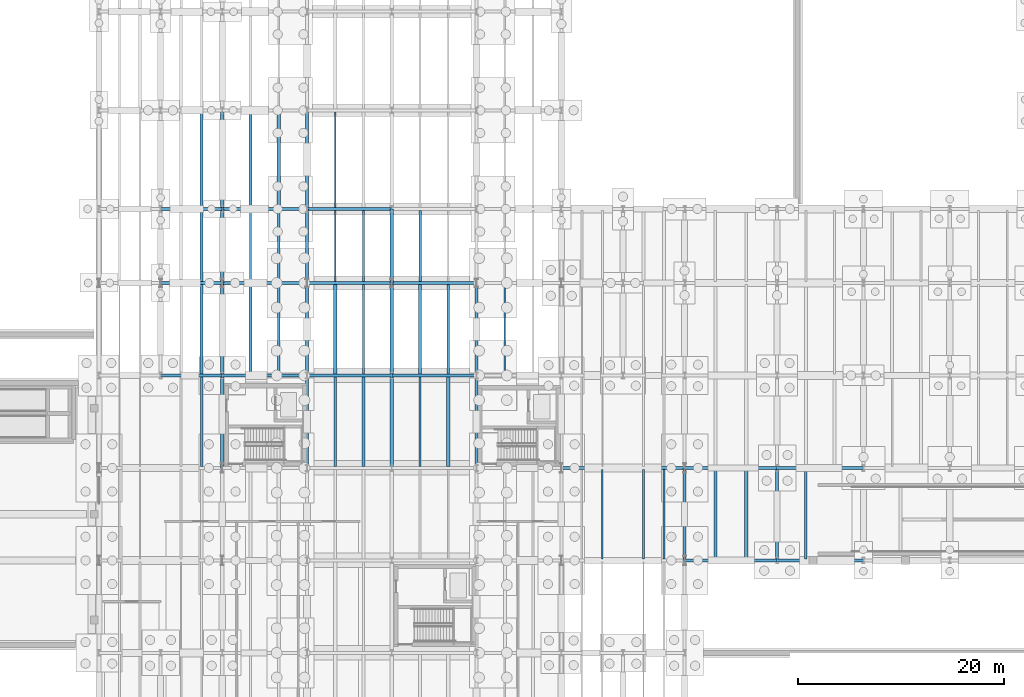
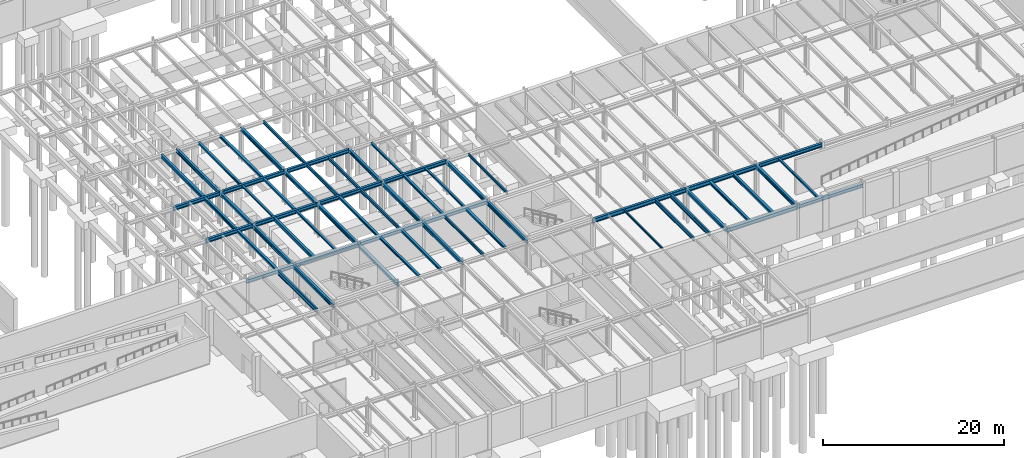
# One storey, part 30 of 59: 60 beams.
"""IFC4 building model written with IfcOpenShell, lengths in metres."""

from ifc_helpers import new_model, si_unit, direction, frame, origin, origin_2d, place, context, subcontext, project, spatial, i_section, extrude, material, material_profile, profile_set, type_object, element, save


model = new_model("IFC4")

# Units and contexts
model_context = context("Model", 3, precision=1e-05, world=origin(), true_north=direction((0.0, 1.0)))
body_context = subcontext(model_context, "Body", "Model", "MODEL_VIEW")
ifc_project = project(units=[si_unit("LENGTHUNIT", "METRE"), si_unit("AREAUNIT", "SQUARE_METRE"), si_unit("VOLUMEUNIT", "CUBIC_METRE"), si_unit("PLANEANGLEUNIT", "RADIAN"), si_unit("MASSUNIT", "GRAM", prefix="KILO")], contexts=[model_context])

# Site, building, storey
site_placement = place(None, origin())
site = spatial("IfcSite", under=ifc_project, at=site_placement, CompositionType="ELEMENT")
building_placement = place(site_placement, origin())
building = spatial("IfcBuilding", under=site, at=building_placement, Name="Montealbar Specialist Clinic", CompositionType="ELEMENT")
storey_placement = place(building_placement, frame((0.0, 0.0, -4.800048828125)))
storey = spatial("IfcBuildingStorey", under=building, at=storey_placement, Name="B01", CompositionType="ELEMENT", Elevation=-4.800048828125)

# Beams
ifc_material = material(Name="Steel S355", Category="steel")
ifc_material_profile_1 = material_profile(ifc_material, i_section(OverallWidth=0.300048828125, OverallDepth=0.449951171875, WebThickness=0.013916015625, FlangeThickness=0.02587890625, FilletRadius=0.027099609375, at=origin_2d()), Name="HEB 450", Category="steel")
ifc_profile_set_1 = profile_set([ifc_material_profile_1], Name="Steel S355")
beam_type_1 = type_object("IfcBeamType", Name="BM-GIRD-HEB450", PredefinedType="BEAM", material=ifc_profile_set_1)
for number, where, z_axis, x_axis, name in (
    (1, (66.0, 45.0, 4.255126953125), (0.0, 1.0, 0.0), (-1.0, 0.0, 0.0), "Beam GY-B01-660-450-522"),
    (2, (74.25, 45.0, 4.255126953125), (0.0, 1.0, 0.0), (-1.0, 0.0, 0.0), "Beam GY-B01-742-450-522"),
    (3, (82.5, 45.0, 4.255126953125), (0.0, 1.0, 0.0), (-1.0, 0.0, 0.0), "Beam GY-B01-825-450-522"),
):
    element("IfcBeam", number, at=place(storey_placement, frame(where, z_axis=z_axis, x_axis=x_axis)), inside=storey, type_object=beam_type_1, Name=name, PredefinedType="BEAM", context=body_context, shape_type="SweptSolid", body=[
        extrude(i_section(OverallWidth=0.300048828125, OverallDepth=0.449951171875, WebThickness=0.013916015625, FlangeThickness=0.02587890625, FilletRadius=0.027099609375, at=origin_2d()), origin(), (0.0, 0.0, 1.0), 7.199951171875),
    ])
ifc_material_profile_2 = material_profile(ifc_material, i_section(OverallWidth=0.300048828125, OverallDepth=0.5, WebThickness=0.014404296875, FlangeThickness=0.028076171875, FilletRadius=0.027099609375, at=origin_2d()), Name="HEB 500", Category="steel")
ifc_profile_set_2 = profile_set([ifc_material_profile_2], Name="Steel S355")
beam_type_2 = type_object("IfcBeamType", Name="BM-GIRD-HEB500", PredefinedType="BEAM", material=ifc_profile_set_2)
beam_1_placement = place(storey_placement, frame((60.0, 36.0, 4.22998046875), z_axis=(1.0, 0.0, 0.0), x_axis=(0.0, 1.0, 0.0)))
element("IfcBeam", 4, at=beam_1_placement, inside=storey, type_object=beam_type_2, Name="Beam GX-B01-600-660-360", PredefinedType="BEAM", context=body_context, shape_type="SweptSolid", body=[
    extrude(i_section(OverallWidth=0.300048828125, OverallDepth=0.5, WebThickness=0.014404296875, FlangeThickness=0.028076171875, FilletRadius=0.027099609375, at=origin_2d()), origin(), (0.0, 0.0, 1.0), 6.0),
])
for number, where, z_axis, x_axis, name in (
    (5, (66.0, 36.0, 4.22998046875), (1.0, 0.0, 0.0), (0.0, 1.0, 0.0), "Beam GX-B01-660-742-360"),
    (6, (74.25, 36.0, 4.22998046875), (1.0, 0.0, 0.0), (0.0, 1.0, 0.0), "Beam GX-B01-742-825-360"),
    (7, (82.5, 36.0, 4.22998046875), (1.0, 0.0, 0.0), (0.0, 1.0, 0.0), "Beam GX-B01-825-908-360"),
):
    element("IfcBeam", number, at=place(storey_placement, frame(where, z_axis=z_axis, x_axis=x_axis)), inside=storey, type_object=beam_type_2, Name=name, PredefinedType="BEAM", context=body_context, shape_type="SweptSolid", body=[
        extrude(i_section(OverallWidth=0.300048828125, OverallDepth=0.5, WebThickness=0.014404296875, FlangeThickness=0.028076171875, FilletRadius=0.027099609375, at=origin_2d()), origin(), (0.0, 0.0, 1.0), 8.25),
    ])
beam_2_placement = place(storey_placement, frame((60.0, 45.0, 4.22998046875), z_axis=(1.0, 0.0, 0.0), x_axis=(0.0, 1.0, 0.0)))
element("IfcBeam", 8, at=beam_2_placement, inside=storey, type_object=beam_type_2, Name="Beam GX-B01-600-660-450", PredefinedType="BEAM", context=body_context, shape_type="SweptSolid", body=[
    extrude(i_section(OverallWidth=0.300048828125, OverallDepth=0.5, WebThickness=0.014404296875, FlangeThickness=0.028076171875, FilletRadius=0.027099609375, at=origin_2d()), origin(), (0.0, 0.0, 1.0), 6.0),
])
for number, where, z_axis, x_axis, name in (
    (9, (66.0, 45.0, 4.22998046875), (1.0, 0.0, 0.0), (0.0, 1.0, 0.0), "Beam GX-B01-660-742-450"),
    (10, (74.25, 45.0, 4.22998046875), (1.0, 0.0, 0.0), (0.0, 1.0, 0.0), "Beam GX-B01-742-825-450"),
    (11, (82.5, 45.0, 4.22998046875), (1.0, 0.0, 0.0), (0.0, 1.0, 0.0), "Beam GX-B01-825-908-450"),
):
    element("IfcBeam", number, at=place(storey_placement, frame(where, z_axis=z_axis, x_axis=x_axis)), inside=storey, type_object=beam_type_2, Name=name, PredefinedType="BEAM", context=body_context, shape_type="SweptSolid", body=[
        extrude(i_section(OverallWidth=0.300048828125, OverallDepth=0.5, WebThickness=0.014404296875, FlangeThickness=0.028076171875, FilletRadius=0.027099609375, at=origin_2d()), origin(), (0.0, 0.0, 1.0), 8.25),
    ])
beam_3_placement = place(storey_placement, frame((60.0, 52.199951171875, 4.22998046875), z_axis=(1.0, 0.0, 0.0), x_axis=(0.0, 1.0, 0.0)))
element("IfcBeam", 12, at=beam_3_placement, inside=storey, type_object=beam_type_2, Name="Beam GX-B01-600-660-522", PredefinedType="BEAM", context=body_context, shape_type="SweptSolid", body=[
    extrude(i_section(OverallWidth=0.300048828125, OverallDepth=0.5, WebThickness=0.014404296875, FlangeThickness=0.028076171875, FilletRadius=0.027099609375, at=origin_2d()), origin(), (0.0, 0.0, 1.0), 6.0),
])
for number, where, z_axis, x_axis, name in (
    (13, (66.0, 52.199951171875, 4.22998046875), (1.0, 0.0, 0.0), (0.0, 1.0, 0.0), "Beam GX-B01-660-742-522"),
    (14, (74.25, 52.199951171875, 4.22998046875), (1.0, 0.0, 0.0), (0.0, 1.0, 0.0), "Beam GX-B01-742-825-522"),
):
    element("IfcBeam", number, at=place(storey_placement, frame(where, z_axis=z_axis, x_axis=x_axis)), inside=storey, type_object=beam_type_2, Name=name, PredefinedType="BEAM", context=body_context, shape_type="SweptSolid", body=[
        extrude(i_section(OverallWidth=0.300048828125, OverallDepth=0.5, WebThickness=0.014404296875, FlangeThickness=0.028076171875, FilletRadius=0.027099609375, at=origin_2d()), origin(), (0.0, 0.0, 1.0), 8.25),
    ])
for number, where, z_axis, x_axis, name in (
    (15, (66.0, 27.0, 4.22998046875), (0.0, 1.0, 0.0), (-1.0, 0.0, 0.0), "Beam GY-B01-660-270-360"),
    (16, (66.0, 36.0, 4.22998046875), (0.0, 1.0, 0.0), (-1.0, 0.0, 0.0), "Beam GY-B01-660-360-450"),
):
    element("IfcBeam", number, at=place(storey_placement, frame(where, z_axis=z_axis, x_axis=x_axis)), inside=storey, type_object=beam_type_2, Name=name, PredefinedType="BEAM", context=body_context, shape_type="SweptSolid", body=[
        extrude(i_section(OverallWidth=0.300048828125, OverallDepth=0.5, WebThickness=0.014404296875, FlangeThickness=0.028076171875, FilletRadius=0.027099609375, at=origin_2d()), origin(), (0.0, 0.0, 1.0), 9.0),
    ])
beam_4_placement = place(storey_placement, frame((66.0, 52.199951171875, 4.22998046875), z_axis=(0.0, 1.0, 0.0), x_axis=(-1.0, 0.0, 0.0)))
element("IfcBeam", 17, at=beam_4_placement, inside=storey, type_object=beam_type_2, Name="Beam GY-B01-660-522-618", PredefinedType="BEAM", context=body_context, shape_type="SweptSolid", body=[
    extrude(i_section(OverallWidth=0.300048828125, OverallDepth=0.5, WebThickness=0.014404296875, FlangeThickness=0.028076171875, FilletRadius=0.027099609375, at=origin_2d()), origin(), (0.0, 0.0, 1.0), 9.60009765625),
])
for number, where, z_axis, x_axis, name in (
    (18, (74.25, 27.0, 4.22998046875), (0.0, 1.0, 0.0), (-1.0, 0.0, 0.0), "Beam GY-B01-742-270-360"),
    (19, (74.25, 36.0, 4.22998046875), (0.0, 1.0, 0.0), (-1.0, 0.0, 0.0), "Beam GY-B01-742-360-450"),
):
    element("IfcBeam", number, at=place(storey_placement, frame(where, z_axis=z_axis, x_axis=x_axis)), inside=storey, type_object=beam_type_2, Name=name, PredefinedType="BEAM", context=body_context, shape_type="SweptSolid", body=[
        extrude(i_section(OverallWidth=0.300048828125, OverallDepth=0.5, WebThickness=0.014404296875, FlangeThickness=0.028076171875, FilletRadius=0.027099609375, at=origin_2d()), origin(), (0.0, 0.0, 1.0), 9.0),
    ])
beam_5_placement = place(storey_placement, frame((74.25, 52.199951171875, 4.22998046875), z_axis=(0.0, 1.0, 0.0), x_axis=(-1.0, 0.0, 0.0)))
element("IfcBeam", 20, at=beam_5_placement, inside=storey, type_object=beam_type_2, Name="Beam GY-B01-742-522-618", PredefinedType="BEAM", context=body_context, shape_type="SweptSolid", body=[
    extrude(i_section(OverallWidth=0.300048828125, OverallDepth=0.5, WebThickness=0.014404296875, FlangeThickness=0.028076171875, FilletRadius=0.027099609375, at=origin_2d()), origin(), (0.0, 0.0, 1.0), 9.60009765625),
])
for number, where, z_axis, x_axis, name in (
    (21, (82.5, 27.0, 4.22998046875), (0.0, 1.0, 0.0), (-1.0, 0.0, 0.0), "Beam GY-B01-825-270-360"),
    (22, (82.5, 36.0, 4.22998046875), (0.0, 1.0, 0.0), (-1.0, 0.0, 0.0), "Beam GY-B01-825-360-450"),
    (23, (90.75, 27.0, 4.22998046875), (0.0, 1.0, 0.0), (-1.0, 0.0, 0.0), "Beam GY-B01-908-270-360"),
    (24, (90.75, 36.0, 4.22998046875), (0.0, 1.0, 0.0), (-1.0, 0.0, 0.0), "Beam GY-B01-908-360-450"),
    (25, (111.0, 18.0, 4.22998046875), (0.0, 1.0, 0.0), (-1.0, 0.0, 0.0), "Beam GY-B01-1110-180-270"),
    (26, (120.0, 18.0, 4.22998046875), (0.0, 1.0, 0.0), (-1.0, 0.0, 0.0), "Beam GY-B01-1200-180-270"),
):
    element("IfcBeam", number, at=place(storey_placement, frame(where, z_axis=z_axis, x_axis=x_axis)), inside=storey, type_object=beam_type_2, Name=name, PredefinedType="BEAM", context=body_context, shape_type="SweptSolid", body=[
        extrude(i_section(OverallWidth=0.300048828125, OverallDepth=0.5, WebThickness=0.014404296875, FlangeThickness=0.028076171875, FilletRadius=0.027099609375, at=origin_2d()), origin(), (0.0, 0.0, 1.0), 9.0),
    ])
ifc_material_profile_3 = material_profile(ifc_material, i_section(OverallWidth=0.300048828125, OverallDepth=0.5, WebThickness=0.014404296875, FlangeThickness=0.028076171875, FilletRadius=0.027099609375, at=origin_2d()), Name="HEB 500", Category="steel")
ifc_profile_set_3 = profile_set([ifc_material_profile_3], Name="Steel S355")
beam_type_3 = type_object("IfcBeamType", Name="BM-GIRD-HEB500-EXT", PredefinedType="BEAM", material=ifc_profile_set_3)
for number, where, z_axis, x_axis, name in (
    (27, (120.0, 18.0, 4.22998046875), (1.0, 0.0, 0.0), (0.0, 1.0, 0.0), "Beam GX-B01-1200-1284-180"),
    (28, (120.0, 27.0, 4.22998046875), (1.0, 0.0, 0.0), (0.0, 1.0, 0.0), "Beam GX-B01-1200-1284-270"),
):
    element("IfcBeam", number, at=place(storey_placement, frame(where, z_axis=z_axis, x_axis=x_axis)), inside=storey, type_object=beam_type_3, Name=name, PredefinedType="BEAM", context=body_context, shape_type="SweptSolid", body=[
        extrude(i_section(OverallWidth=0.300048828125, OverallDepth=0.5, WebThickness=0.014404296875, FlangeThickness=0.028076171875, FilletRadius=0.027099609375, at=origin_2d()), origin(), (0.0, 0.0, 1.0), 8.39990234375),
    ])
ifc_material_profile_4 = material_profile(ifc_material, i_section(OverallWidth=0.300048828125, OverallDepth=0.550048828125, WebThickness=0.014892578125, FlangeThickness=0.029052734375, FilletRadius=0.027099609375, at=origin_2d()), Name="HEB 550", Category="steel")
ifc_profile_set_4 = profile_set([ifc_material_profile_4], Name="Steel S355")
beam_type_4 = type_object("IfcBeamType", Name="BM-GIRD-HEB550", PredefinedType="BEAM", material=ifc_profile_set_4)
beam_6_placement = place(storey_placement, frame((99.0, 27.0, 4.205078125), z_axis=(1.0, 0.0, 0.0), x_axis=(0.0, 1.0, 0.0)))
element("IfcBeam", 29, at=beam_6_placement, inside=storey, type_object=beam_type_4, Name="Beam GX-B01-990-1110-270", PredefinedType="BEAM", context=body_context, shape_type="SweptSolid", body=[
    extrude(i_section(OverallWidth=0.300048828125, OverallDepth=0.550048828125, WebThickness=0.014892578125, FlangeThickness=0.029052734375, FilletRadius=0.027099609375, at=origin_2d()), origin(), (0.0, 0.0, 1.0), 12.0),
])
beam_7_placement = place(storey_placement, frame((111.0, 27.0, 4.205078125), z_axis=(1.0, 0.0, 0.0), x_axis=(0.0, 1.0, 0.0)))
element("IfcBeam", 30, at=beam_7_placement, inside=storey, type_object=beam_type_4, Name="Beam GX-B01-1110-1200-270", PredefinedType="BEAM", context=body_context, shape_type="SweptSolid", body=[
    extrude(i_section(OverallWidth=0.300048828125, OverallDepth=0.550048828125, WebThickness=0.014892578125, FlangeThickness=0.029052734375, FilletRadius=0.027099609375, at=origin_2d()), origin(), (0.0, 0.0, 1.0), 9.0),
])
ifc_material_profile_5 = material_profile(ifc_material, i_section(OverallWidth=0.300048828125, OverallDepth=0.550048828125, WebThickness=0.014892578125, FlangeThickness=0.029052734375, FilletRadius=0.027099609375, at=origin_2d()), Name="HEB 550", Category="steel")
ifc_profile_set_5 = profile_set([ifc_material_profile_5], Name="Steel S355")
beam_type_5 = type_object("IfcBeamType", Name="BM-GIRD-HEB550-EXT", PredefinedType="BEAM", material=ifc_profile_set_5)
beam_8_placement = place(storey_placement, frame((111.0, 18.0, 4.205078125), z_axis=(1.0, 0.0, 0.0), x_axis=(0.0, 1.0, 0.0)))
element("IfcBeam", 31, at=beam_8_placement, inside=storey, type_object=beam_type_5, Name="Beam GX-B01-1110-1200-180", PredefinedType="BEAM", context=body_context, shape_type="SweptSolid", body=[
    extrude(i_section(OverallWidth=0.300048828125, OverallDepth=0.550048828125, WebThickness=0.014892578125, FlangeThickness=0.029052734375, FilletRadius=0.027099609375, at=origin_2d()), origin(), (0.0, 0.0, 1.0), 9.0),
])
ifc_material_profile_6 = material_profile(ifc_material, i_section(OverallWidth=0.300048828125, OverallDepth=0.35009765625, WebThickness=0.010009765625, FlangeThickness=0.017578125, FilletRadius=0.027099609375, at=origin_2d()), Name="HEA 360", Category="steel")
ifc_profile_set_6 = profile_set([ifc_material_profile_6], Name="Steel S355")
beam_type_6 = type_object("IfcBeamType", Name="BM-JST-HEA360", PredefinedType="JOIST", material=ifc_profile_set_6)
for number, where, z_axis, x_axis, name in (
    (32, (64.0, 36.14990234375, 4.304931640625), (0.0, 1.0, 0.0), (-1.0, 0.0, 0.0), "Beam JST-B01-640-362-448"),
    (33, (114.0, 18.14990234375, 4.304931640625), (0.0, 1.0, 0.0), (-1.0, 0.0, 0.0), "Beam JST-B01-1140-182-268"),
):
    element("IfcBeam", number, at=place(storey_placement, frame(where, z_axis=z_axis, x_axis=x_axis)), inside=storey, type_object=beam_type_6, Name=name, PredefinedType="JOIST", context=body_context, shape_type="SweptSolid", body=[
        extrude(i_section(OverallWidth=0.300048828125, OverallDepth=0.35009765625, WebThickness=0.010009765625, FlangeThickness=0.017578125, FilletRadius=0.027099609375, at=origin_2d()), origin(), (0.0, 0.0, 1.0), 8.7001953125),
    ])
ifc_material_profile_7 = material_profile(ifc_material, i_section(OverallWidth=0.300048828125, OverallDepth=0.43994140625, WebThickness=0.011474609375, FlangeThickness=0.02099609375, FilletRadius=0.027099609375, at=origin_2d()), Name="HEA 450", Category="steel")
ifc_profile_set_7 = profile_set([ifc_material_profile_7], Name="Steel S355")
beam_type_7 = type_object("IfcBeamType", Name="BM-JST-HEA450", PredefinedType="JOIST", material=ifc_profile_set_7)
beam_9_placement = place(storey_placement, frame((64.0, 45.14990234375, 4.260009765625), z_axis=(0.0, 1.0, 0.0), x_axis=(-1.0, 0.0, 0.0)))
element("IfcBeam", 34, at=beam_9_placement, inside=storey, type_object=beam_type_7, Name="Beam JST-B01-640-452-520", PredefinedType="JOIST", context=body_context, shape_type="SweptSolid", body=[
    extrude(i_section(OverallWidth=0.300048828125, OverallDepth=0.43994140625, WebThickness=0.011474609375, FlangeThickness=0.02099609375, FilletRadius=0.027099609375, at=origin_2d()), origin(), (0.0, 0.0, 1.0), 6.900146484375),
])
beam_10_placement = place(storey_placement, frame((117.0, 18.14990234375, 4.260009765625), z_axis=(0.0, 1.0, 0.0), x_axis=(-1.0, 0.0, 0.0)))
element("IfcBeam", 35, at=beam_10_placement, inside=storey, type_object=beam_type_7, Name="Beam JST-B01-1170-182-268", PredefinedType="JOIST", context=body_context, shape_type="SweptSolid", body=[
    extrude(i_section(OverallWidth=0.300048828125, OverallDepth=0.43994140625, WebThickness=0.011474609375, FlangeThickness=0.02099609375, FilletRadius=0.027099609375, at=origin_2d()), origin(), (0.0, 0.0, 1.0), 8.7001953125),
])
ifc_material_profile_8 = material_profile(ifc_material, i_section(OverallWidth=0.300048828125, OverallDepth=0.489990234375, WebThickness=0.011962890625, FlangeThickness=0.02294921875, FilletRadius=0.027099609375, at=origin_2d()), Name="HEA 500", Category="steel")
ifc_profile_set_8 = profile_set([ifc_material_profile_8], Name="Steel S355")
beam_type_8 = type_object("IfcBeamType", Name="BM-JST-HEA500", PredefinedType="JOIST", material=ifc_profile_set_8)
beam_11_placement = place(storey_placement, frame((64.0, 52.35009765625, 4.235107421875), z_axis=(0.0, 1.0, 0.0), x_axis=(-1.0, 0.0, 0.0)))
element("IfcBeam", 36, at=beam_11_placement, inside=storey, type_object=beam_type_8, Name="Beam JST-B01-640-524-616", PredefinedType="JOIST", context=body_context, shape_type="SweptSolid", body=[
    extrude(i_section(OverallWidth=0.300048828125, OverallDepth=0.489990234375, WebThickness=0.011962890625, FlangeThickness=0.02294921875, FilletRadius=0.027099609375, at=origin_2d()), origin(), (0.0, 0.0, 1.0), 9.2998046875),
])
beam_12_placement = place(storey_placement, frame((68.75, 36.14990234375, 4.235107421875), z_axis=(0.0, 1.0, 0.0), x_axis=(-1.0, 0.0, 0.0)))
element("IfcBeam", 37, at=beam_12_placement, inside=storey, type_object=beam_type_8, Name="Beam JST-B01-688-362-448", PredefinedType="JOIST", context=body_context, shape_type="SweptSolid", body=[
    extrude(i_section(OverallWidth=0.300048828125, OverallDepth=0.489990234375, WebThickness=0.011962890625, FlangeThickness=0.02294921875, FilletRadius=0.027099609375, at=origin_2d()), origin(), (0.0, 0.0, 1.0), 8.7001953125),
])
ifc_material_profile_9 = material_profile(ifc_material, i_section(OverallWidth=0.239990234375, OverallDepth=0.239990234375, WebThickness=0.010009765625, FlangeThickness=0.01708984375, FilletRadius=0.02099609375, at=origin_2d()), Name="HEB 240", Category="steel")
ifc_profile_set_9 = profile_set([ifc_material_profile_9], Name="Steel S355")
beam_type_9 = type_object("IfcBeamType", Name="BM-JST-HEB240", PredefinedType="JOIST", material=ifc_profile_set_9)
beam_13_placement = place(storey_placement, frame((71.5, 36.14990234375, 4.360107421875), z_axis=(0.0, 1.0, 0.0), x_axis=(-1.0, 0.0, 0.0)))
element("IfcBeam", 38, at=beam_13_placement, inside=storey, type_object=beam_type_9, Name="Beam JST-B01-715-362-448", PredefinedType="JOIST", context=body_context, shape_type="SweptSolid", body=[
    extrude(i_section(OverallWidth=0.239990234375, OverallDepth=0.239990234375, WebThickness=0.010009765625, FlangeThickness=0.01708984375, FilletRadius=0.02099609375, at=origin_2d()), origin(), (0.0, 0.0, 1.0), 8.7001953125),
])
beam_14_placement = place(storey_placement, frame((68.75, 45.14990234375, 4.360107421875), z_axis=(0.0, 1.0, 0.0), x_axis=(-1.0, 0.0, 0.0)))
element("IfcBeam", 39, at=beam_14_placement, inside=storey, type_object=beam_type_9, Name="Beam JST-B01-688-452-520", PredefinedType="JOIST", context=body_context, shape_type="SweptSolid", body=[
    extrude(i_section(OverallWidth=0.239990234375, OverallDepth=0.239990234375, WebThickness=0.010009765625, FlangeThickness=0.01708984375, FilletRadius=0.02099609375, at=origin_2d()), origin(), (0.0, 0.0, 1.0), 6.900146484375),
])
beam_15_placement = place(storey_placement, frame((122.800048828125, 18.14990234375, 4.360107421875), z_axis=(0.0, 1.0, 0.0), x_axis=(-1.0, 0.0, 0.0)))
element("IfcBeam", 40, at=beam_15_placement, inside=storey, type_object=beam_type_9, Name="Beam JST-B01-1228-182-268", PredefinedType="JOIST", context=body_context, shape_type="SweptSolid", body=[
    extrude(i_section(OverallWidth=0.239990234375, OverallDepth=0.239990234375, WebThickness=0.010009765625, FlangeThickness=0.01708984375, FilletRadius=0.02099609375, at=origin_2d()), origin(), (0.0, 0.0, 1.0), 8.7001953125),
])
ifc_material_profile_10 = material_profile(ifc_material, i_section(OverallWidth=0.280029296875, OverallDepth=0.280029296875, WebThickness=0.010498046875, FlangeThickness=0.01806640625, FilletRadius=0.02392578125, at=origin_2d()), Name="HEB 280", Category="steel")
ifc_profile_set_10 = profile_set([ifc_material_profile_10], Name="Steel S355")
beam_type_10 = type_object("IfcBeamType", Name="BM-JST-HEB280", PredefinedType="JOIST", material=ifc_profile_set_10)
beam_16_placement = place(storey_placement, frame((71.5, 45.14990234375, 4.340087890625), z_axis=(0.0, 1.0, 0.0), x_axis=(-1.0, 0.0, 0.0)))
element("IfcBeam", 41, at=beam_16_placement, inside=storey, type_object=beam_type_10, Name="Beam JST-B01-715-452-520", PredefinedType="JOIST", context=body_context, shape_type="SweptSolid", body=[
    extrude(i_section(OverallWidth=0.280029296875, OverallDepth=0.280029296875, WebThickness=0.010498046875, FlangeThickness=0.01806640625, FilletRadius=0.02392578125, at=origin_2d()), origin(), (0.0, 0.0, 1.0), 6.900146484375),
])
beam_17_placement = place(storey_placement, frame((68.75, 52.35009765625, 4.340087890625), z_axis=(0.0, 1.0, 0.0), x_axis=(-1.0, 0.0, 0.0)))
element("IfcBeam", 42, at=beam_17_placement, inside=storey, type_object=beam_type_10, Name="Beam JST-B01-688-524-616", PredefinedType="JOIST", context=body_context, shape_type="SweptSolid", body=[
    extrude(i_section(OverallWidth=0.280029296875, OverallDepth=0.280029296875, WebThickness=0.010498046875, FlangeThickness=0.01806640625, FilletRadius=0.02392578125, at=origin_2d()), origin(), (0.0, 0.0, 1.0), 9.2998046875),
])
beam_18_placement = place(storey_placement, frame((77.0, 27.14990234375, 4.340087890625), z_axis=(0.0, 1.0, 0.0), x_axis=(-1.0, 0.0, 0.0)))
element("IfcBeam", 43, at=beam_18_placement, inside=storey, type_object=beam_type_10, Name="Beam JST-B01-770-272-358", PredefinedType="JOIST", context=body_context, shape_type="SweptSolid", body=[
    extrude(i_section(OverallWidth=0.280029296875, OverallDepth=0.280029296875, WebThickness=0.010498046875, FlangeThickness=0.01806640625, FilletRadius=0.02392578125, at=origin_2d()), origin(), (0.0, 0.0, 1.0), 8.7001953125),
])
ifc_material_profile_11 = material_profile(ifc_material, i_section(OverallWidth=0.300048828125, OverallDepth=0.320068359375, WebThickness=0.011474609375, FlangeThickness=0.0205078125, FilletRadius=0.027099609375, at=origin_2d()), Name="HEB 320", Category="steel")
ifc_profile_set_11 = profile_set([ifc_material_profile_11], Name="Steel S355")
beam_type_11 = type_object("IfcBeamType", Name="BM-JST-HEB320", PredefinedType="JOIST", material=ifc_profile_set_11)
beam_19_placement = place(storey_placement, frame((71.5, 52.35009765625, 4.320068359375), z_axis=(0.0, 1.0, 0.0), x_axis=(-1.0, 0.0, 0.0)))
element("IfcBeam", 44, at=beam_19_placement, inside=storey, type_object=beam_type_11, Name="Beam JST-B01-715-524-616", PredefinedType="JOIST", context=body_context, shape_type="SweptSolid", body=[
    extrude(i_section(OverallWidth=0.300048828125, OverallDepth=0.320068359375, WebThickness=0.011474609375, FlangeThickness=0.0205078125, FilletRadius=0.027099609375, at=origin_2d()), origin(), (0.0, 0.0, 1.0), 9.2998046875),
])
for number, where, z_axis, x_axis, name in (
    (45, (79.75, 27.14990234375, 4.320068359375), (0.0, 1.0, 0.0), (-1.0, 0.0, 0.0), "Beam JST-B01-798-272-358"),
    (46, (77.0, 36.14990234375, 4.320068359375), (0.0, 1.0, 0.0), (-1.0, 0.0, 0.0), "Beam JST-B01-770-362-448"),
):
    element("IfcBeam", number, at=place(storey_placement, frame(where, z_axis=z_axis, x_axis=x_axis)), inside=storey, type_object=beam_type_11, Name=name, PredefinedType="JOIST", context=body_context, shape_type="SweptSolid", body=[
        extrude(i_section(OverallWidth=0.300048828125, OverallDepth=0.320068359375, WebThickness=0.011474609375, FlangeThickness=0.0205078125, FilletRadius=0.027099609375, at=origin_2d()), origin(), (0.0, 0.0, 1.0), 8.7001953125),
    ])
ifc_material_profile_12 = material_profile(ifc_material, i_section(OverallWidth=0.135009765625, OverallDepth=0.27001953125, WebThickness=0.006591796875, FlangeThickness=0.01025390625, FilletRadius=0.014892578125, at=origin_2d()), Name="IPE 270", Category="steel")
ifc_profile_set_12 = profile_set([ifc_material_profile_12], Name="Steel S355")
beam_type_12 = type_object("IfcBeamType", Name="BM-JST-IPE270", PredefinedType="JOIST", material=ifc_profile_set_12)
beam_20_placement = place(storey_placement, frame((103.0, 18.14990234375, 4.344970703125), z_axis=(0.0, 1.0, 0.0), x_axis=(-1.0, 0.0, 0.0)))
element("IfcBeam", 47, at=beam_20_placement, inside=storey, type_object=beam_type_12, Name="Beam JST-B01-1030-182-268", PredefinedType="JOIST", context=body_context, shape_type="SweptSolid", body=[
    extrude(i_section(OverallWidth=0.135009765625, OverallDepth=0.27001953125, WebThickness=0.006591796875, FlangeThickness=0.01025390625, FilletRadius=0.014892578125, at=origin_2d()), origin(), (0.0, 0.0, 1.0), 8.7001953125),
])
ifc_material_profile_13 = material_profile(ifc_material, i_section(OverallWidth=0.159912109375, OverallDepth=0.330078125, WebThickness=0.007568359375, FlangeThickness=0.011474609375, FilletRadius=0.01806640625, at=origin_2d()), Name="IPE 330", Category="steel")
ifc_profile_set_13 = profile_set([ifc_material_profile_13], Name="Steel S355")
beam_type_13 = type_object("IfcBeamType", Name="BM-JST-IPE330", PredefinedType="JOIST", material=ifc_profile_set_13)
beam_21_placement = place(storey_placement, frame((93.5, 36.14990234375, 4.31494140625), z_axis=(0.0, 1.0, 0.0), x_axis=(-1.0, 0.0, 0.0)))
element("IfcBeam", 48, at=beam_21_placement, inside=storey, type_object=beam_type_13, Name="Beam JST-B01-935-362-448", PredefinedType="JOIST", context=body_context, shape_type="SweptSolid", body=[
    extrude(i_section(OverallWidth=0.159912109375, OverallDepth=0.330078125, WebThickness=0.007568359375, FlangeThickness=0.011474609375, FilletRadius=0.01806640625, at=origin_2d()), origin(), (0.0, 0.0, 1.0), 8.7001953125),
])
ifc_material_profile_14 = material_profile(ifc_material, i_section(OverallWidth=0.199951171875, OverallDepth=0.5, WebThickness=0.01025390625, FlangeThickness=0.01611328125, FilletRadius=0.02099609375, at=origin_2d()), Name="IPE 500", Category="steel")
ifc_profile_set_14 = profile_set([ifc_material_profile_14], Name="Steel S355")
beam_type_14 = type_object("IfcBeamType", Name="BM-JST-IPE500", PredefinedType="JOIST", material=ifc_profile_set_14)
beam_22_placement = place(storey_placement, frame((107.0, 18.14990234375, 4.22998046875), z_axis=(0.0, 1.0, 0.0), x_axis=(-1.0, 0.0, 0.0)))
element("IfcBeam", 49, at=beam_22_placement, inside=storey, type_object=beam_type_14, Name="Beam JST-B01-1070-182-268", PredefinedType="JOIST", context=body_context, shape_type="SweptSolid", body=[
    extrude(i_section(OverallWidth=0.199951171875, OverallDepth=0.5, WebThickness=0.01025390625, FlangeThickness=0.01611328125, FilletRadius=0.02099609375, at=origin_2d()), origin(), (0.0, 0.0, 1.0), 8.7001953125),
])
ifc_material_profile_15 = material_profile(ifc_material, i_section(OverallWidth=0.2099609375, OverallDepth=0.550048828125, WebThickness=0.010986328125, FlangeThickness=0.01708984375, FilletRadius=0.02392578125, at=origin_2d()), Name="IPE 550", Category="steel")
ifc_profile_set_15 = profile_set([ifc_material_profile_15], Name="Steel S355")
beam_type_15 = type_object("IfcBeamType", Name="BM-JST-IPE550", PredefinedType="JOIST", material=ifc_profile_set_15)
beam_23_placement = place(storey_placement, frame((109.0, 18.14990234375, 4.205078125), z_axis=(0.0, 1.0, 0.0), x_axis=(-1.0, 0.0, 0.0)))
element("IfcBeam", 50, at=beam_23_placement, inside=storey, type_object=beam_type_15, Name="Beam JST-B01-1090-182-268", PredefinedType="JOIST", context=body_context, shape_type="SweptSolid", body=[
    extrude(i_section(OverallWidth=0.2099609375, OverallDepth=0.550048828125, WebThickness=0.010986328125, FlangeThickness=0.01708984375, FilletRadius=0.02392578125, at=origin_2d()), origin(), (0.0, 0.0, 1.0), 8.7001953125),
])
ifc_material_profile_16 = material_profile(ifc_material, i_section(OverallWidth=0.219970703125, OverallDepth=0.60009765625, WebThickness=0.011962890625, FlangeThickness=0.01904296875, FilletRadius=0.02392578125, at=origin_2d()), Name="IPE 600", Category="steel")
ifc_profile_set_16 = profile_set([ifc_material_profile_16], Name="Steel S355")
beam_type_16 = type_object("IfcBeamType", Name="BM-JST-IPE600", PredefinedType="JOIST", material=ifc_profile_set_16)
beam_24_placement = place(storey_placement, frame((64.0, 27.14990234375, 4.179931640625), z_axis=(0.0, 1.0, 0.0), x_axis=(-1.0, 0.0, 0.0)))
element("IfcBeam", 51, at=beam_24_placement, inside=storey, type_object=beam_type_16, Name="Beam JST-B01-640-272-358", PredefinedType="JOIST", context=body_context, shape_type="SweptSolid", body=[
    extrude(i_section(OverallWidth=0.219970703125, OverallDepth=0.60009765625, WebThickness=0.011962890625, FlangeThickness=0.01904296875, FilletRadius=0.02392578125, at=origin_2d()), origin(), (0.0, 0.0, 1.0), 8.7001953125),
])
ifc_material_profile_17 = material_profile(ifc_material, i_section(OverallWidth=0.179931640625, OverallDepth=0.39990234375, WebThickness=0.008544921875, FlangeThickness=0.013427734375, FilletRadius=0.02099609375, at=origin_2d()), Name="IPE 400", Category="steel")
ifc_profile_set_17 = profile_set([ifc_material_profile_17], Name="Steel S355")
beam_type_17 = type_object("IfcBeamType", Name="BM-SEC-IPE400", PredefinedType="BEAM", material=ifc_profile_set_17)
beam_25_placement = place(storey_placement, frame((79.75, 45.14990234375, 4.280029296875), z_axis=(0.0, 1.0, 0.0), x_axis=(-1.0, 0.0, 0.0)))
element("IfcBeam", 52, at=beam_25_placement, inside=storey, type_object=beam_type_17, Name="Beam JST-B01-798-452-520", PredefinedType="BEAM", context=body_context, shape_type="SweptSolid", body=[
    extrude(i_section(OverallWidth=0.179931640625, OverallDepth=0.39990234375, WebThickness=0.008544921875, FlangeThickness=0.013427734375, FilletRadius=0.02099609375, at=origin_2d()), origin(), (0.0, 0.0, 1.0), 6.900146484375),
])
beam_26_placement = place(storey_placement, frame((77.0, 52.35009765625, 4.280029296875), z_axis=(0.0, 1.0, 0.0), x_axis=(-1.0, 0.0, 0.0)))
element("IfcBeam", 53, at=beam_26_placement, inside=storey, type_object=beam_type_17, Name="Beam JST-B01-770-524-616", PredefinedType="BEAM", context=body_context, shape_type="SweptSolid", body=[
    extrude(i_section(OverallWidth=0.179931640625, OverallDepth=0.39990234375, WebThickness=0.008544921875, FlangeThickness=0.013427734375, FilletRadius=0.02099609375, at=origin_2d()), origin(), (0.0, 0.0, 1.0), 9.2998046875),
])
beam_27_placement = place(storey_placement, frame((85.25, 27.14990234375, 4.280029296875), z_axis=(0.0, 1.0, 0.0), x_axis=(-1.0, 0.0, 0.0)))
element("IfcBeam", 54, at=beam_27_placement, inside=storey, type_object=beam_type_17, Name="Beam JST-B01-852-272-358", PredefinedType="BEAM", context=body_context, shape_type="SweptSolid", body=[
    extrude(i_section(OverallWidth=0.179931640625, OverallDepth=0.39990234375, WebThickness=0.008544921875, FlangeThickness=0.013427734375, FilletRadius=0.02099609375, at=origin_2d()), origin(), (0.0, 0.0, 1.0), 8.7001953125),
])
ifc_material_profile_18 = material_profile(ifc_material, i_section(OverallWidth=0.18994140625, OverallDepth=0.449951171875, WebThickness=0.009521484375, FlangeThickness=0.0146484375, FilletRadius=0.02099609375, at=origin_2d()), Name="IPE 450", Category="steel")
ifc_profile_set_18 = profile_set([ifc_material_profile_18], Name="Steel S355")
beam_type_18 = type_object("IfcBeamType", Name="BM-SEC-IPE450", PredefinedType="BEAM", material=ifc_profile_set_18)
beam_28_placement = place(storey_placement, frame((79.75, 36.14990234375, 4.255126953125), z_axis=(0.0, 1.0, 0.0), x_axis=(-1.0, 0.0, 0.0)))
element("IfcBeam", 55, at=beam_28_placement, inside=storey, type_object=beam_type_18, Name="Beam JST-B01-798-362-448", PredefinedType="BEAM", context=body_context, shape_type="SweptSolid", body=[
    extrude(i_section(OverallWidth=0.18994140625, OverallDepth=0.449951171875, WebThickness=0.009521484375, FlangeThickness=0.0146484375, FilletRadius=0.02099609375, at=origin_2d()), origin(), (0.0, 0.0, 1.0), 8.7001953125),
])
beam_29_placement = place(storey_placement, frame((77.0, 45.14990234375, 4.255126953125), z_axis=(0.0, 1.0, 0.0), x_axis=(-1.0, 0.0, 0.0)))
element("IfcBeam", 56, at=beam_29_placement, inside=storey, type_object=beam_type_18, Name="Beam JST-B01-770-452-520", PredefinedType="BEAM", context=body_context, shape_type="SweptSolid", body=[
    extrude(i_section(OverallWidth=0.18994140625, OverallDepth=0.449951171875, WebThickness=0.009521484375, FlangeThickness=0.0146484375, FilletRadius=0.02099609375, at=origin_2d()), origin(), (0.0, 0.0, 1.0), 6.900146484375),
])
ifc_material_profile_19 = material_profile(ifc_material, i_section(OverallWidth=0.239990234375, OverallDepth=0.22998046875, WebThickness=0.007568359375, FlangeThickness=0.011962890625, FilletRadius=0.02099609375, at=origin_2d()), Name="HEA 240", Category="steel")
ifc_profile_set_19 = profile_set([ifc_material_profile_19], Name="Steel S355")
beam_type_19 = type_object("IfcBeamType", Name="BM-SPAND-HEA240", PredefinedType="SPANDREL", material=ifc_profile_set_19)
beam_30_placement = place(storey_placement, frame((88.0, 36.14990234375, 4.364990234375), z_axis=(0.0, 1.0, 0.0), x_axis=(-1.0, 0.0, 0.0)))
element("IfcBeam", 57, at=beam_30_placement, inside=storey, type_object=beam_type_19, Name="Beam JST-B01-880-362-448", PredefinedType="SPANDREL", context=body_context, shape_type="SweptSolid", body=[
    extrude(i_section(OverallWidth=0.239990234375, OverallDepth=0.22998046875, WebThickness=0.007568359375, FlangeThickness=0.011962890625, FilletRadius=0.02099609375, at=origin_2d()), origin(), (0.0, 0.0, 1.0), 8.7001953125),
])
beam_31_placement = place(storey_placement, frame((85.25, 45.14990234375, 4.364990234375), z_axis=(0.0, 1.0, 0.0), x_axis=(-1.0, 0.0, 0.0)))
element("IfcBeam", 58, at=beam_31_placement, inside=storey, type_object=beam_type_19, Name="Beam JST-B01-852-452-520", PredefinedType="SPANDREL", context=body_context, shape_type="SweptSolid", body=[
    extrude(i_section(OverallWidth=0.239990234375, OverallDepth=0.22998046875, WebThickness=0.007568359375, FlangeThickness=0.011962890625, FilletRadius=0.02099609375, at=origin_2d()), origin(), (0.0, 0.0, 1.0), 6.900146484375),
])
ifc_material_profile_20 = material_profile(ifc_material, i_section(OverallWidth=0.300048828125, OverallDepth=0.2900390625, WebThickness=0.008544921875, FlangeThickness=0.013916015625, FilletRadius=0.027099609375, at=origin_2d()), Name="HEA 300", Category="steel")
ifc_profile_set_20 = profile_set([ifc_material_profile_20], Name="Steel S355")
beam_type_20 = type_object("IfcBeamType", Name="BM-SPAND-HEA300", PredefinedType="SPANDREL", material=ifc_profile_set_20)
for number, where, z_axis, x_axis, name in (
    (59, (88.0, 27.14990234375, 4.3349609375), (0.0, 1.0, 0.0), (-1.0, 0.0, 0.0), "Beam JST-B01-880-272-358"),
    (60, (85.25, 36.14990234375, 4.3349609375), (0.0, 1.0, 0.0), (-1.0, 0.0, 0.0), "Beam JST-B01-852-362-448"),
):
    element("IfcBeam", number, at=place(storey_placement, frame(where, z_axis=z_axis, x_axis=x_axis)), inside=storey, type_object=beam_type_20, Name=name, PredefinedType="SPANDREL", context=body_context, shape_type="SweptSolid", body=[
        extrude(i_section(OverallWidth=0.300048828125, OverallDepth=0.2900390625, WebThickness=0.008544921875, FlangeThickness=0.013916015625, FilletRadius=0.027099609375, at=origin_2d()), origin(), (0.0, 0.0, 1.0), 8.7001953125),
    ])

save(model, "model.ifc")
